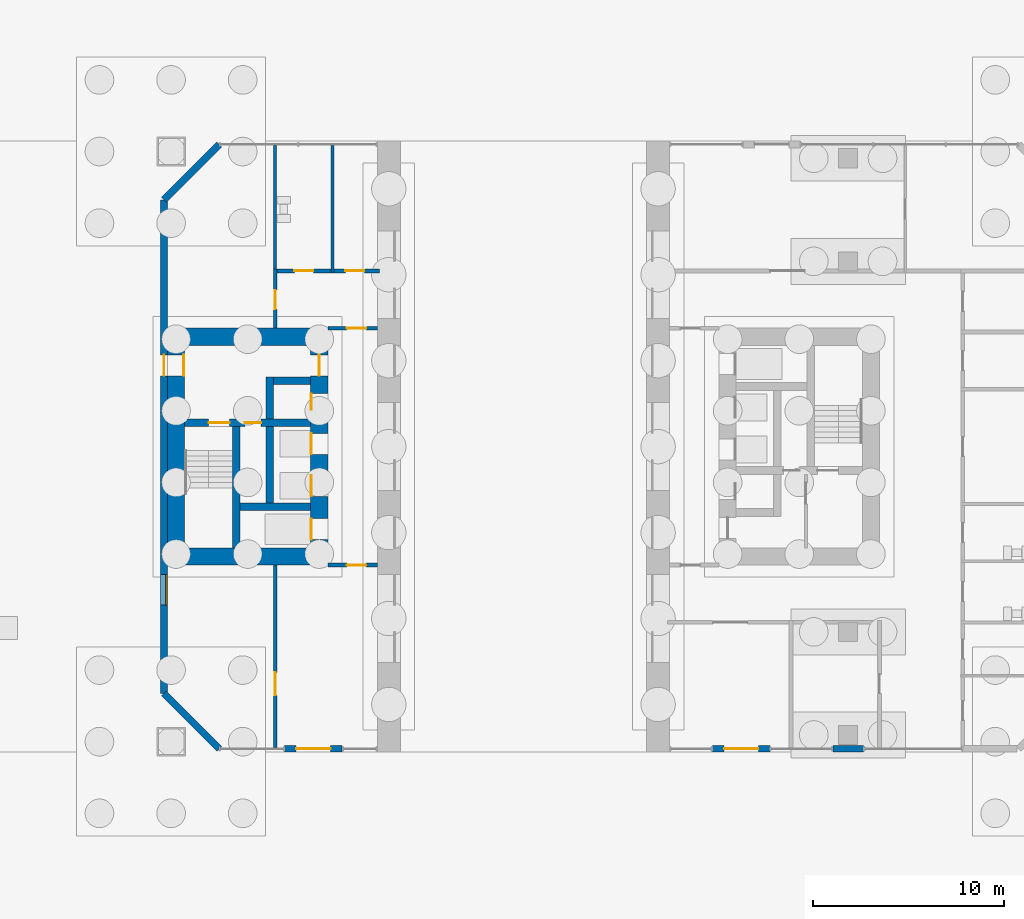
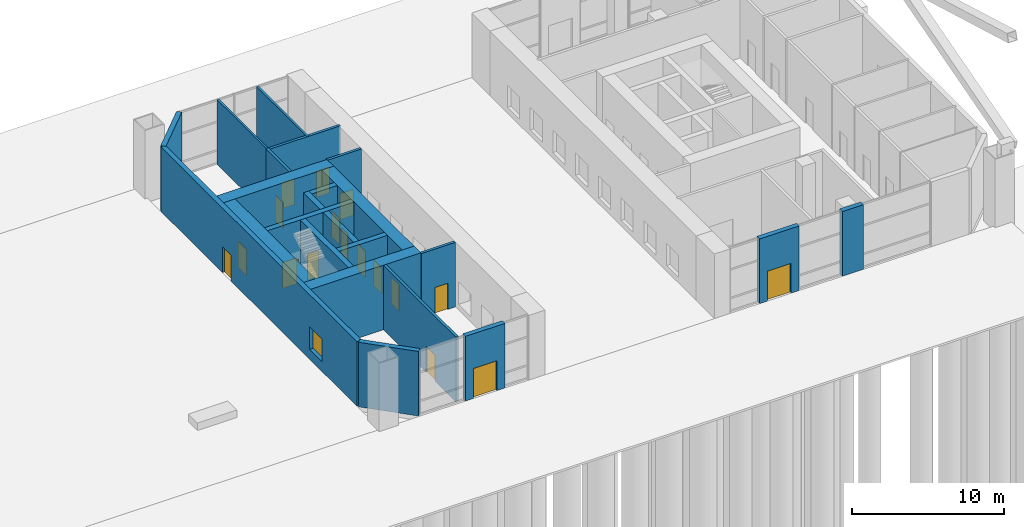
# One storey, part 17 of 26: 23 walls, 17 doors, 1 window, 18 openings.
"""IFC4 building model written with IfcOpenShell, lengths in metres."""

import ifcopenshell
import ifcopenshell.guid

model = None  # the IFC model being written
_history = None  # IfcOwnerHistory: only IFC2X3 demands one
_inside = {}  # id of a spatial element -> (the spatial element, [elements in it])
_under = {}  # id of a project, library or spatial element -> (it, [spatial elements below it])
_declared = {}  # id of a project -> (the project, [libraries it declares])
_typed = {}  # id of a type object -> (the type object, [elements of that type])
_made_of = {}  # id of a material, layer set ... -> (it, [elements and type objects made of it])


def new_model(schema):
    """Start an empty IFC model of exactly this schema.

    Asked for "IFC4X3", IfcOpenShell would pick the latest addendum, in which some entities
    have other attributes; the version numbers below select the first issue.
    IFC2X3 requires an IfcOwnerHistory on every rooted entity: one is made here for all.
    """
    global model, _history
    if schema == "IFC4X3":
        model = ifcopenshell.file(schema_version=(4, 3, 0, 0))
    else:
        model = ifcopenshell.file(schema=schema)
    _inside.clear()
    _under.clear()
    _declared.clear()
    _typed.clear()
    _made_of.clear()
    _history = None
    if model.schema == "IFC2X3":
        org = make("IfcOrganization", Name="unknown")
        user = make(
            "IfcPersonAndOrganization",
            ThePerson=make("IfcPerson", FamilyName="unknown"),
            TheOrganization=org,
        )
        app = make(
            "IfcApplication",
            ApplicationDeveloper=org,
            Version="unknown",
            ApplicationFullName="unknown",
            ApplicationIdentifier="unknown",
        )
        _history = make(
            "IfcOwnerHistory",
            OwningUser=user,
            OwningApplication=app,
            ChangeAction="ADDED",
            CreationDate=0,
        )
    return model


def make(cls, **values):
    """One entity of the class cls with the attributes given. An attribute that is None is left unset."""
    return model.create_entity(
        cls, **{name: value for name, value in values.items() if value is not None}
    )


def rooted(cls, **values):
    """An entity with a GlobalId (a new one), such as an element, a storey or a relation."""
    return make(cls, GlobalId=ifcopenshell.guid.new(), OwnerHistory=_history, **values)


def si_unit(unit_type, name, prefix=None):
    """IfcSIUnit, for example si_unit("LENGTHUNIT", "METRE", prefix="MILLI")."""
    return make("IfcSIUnit", UnitType=unit_type, Prefix=prefix, Name=name)


def assignment(units):
    """IfcUnitAssignment: the units of a project."""
    return None if units is None else make("IfcUnitAssignment", Units=units)


def point(xyz):
    """IfcCartesianPoint."""
    return None if xyz is None else make("IfcCartesianPoint", Coordinates=xyz)


def direction(xyz):
    """IfcDirection."""
    return None if xyz is None else make("IfcDirection", DirectionRatios=xyz)


def frame(location, z_axis=None, x_axis=None):
    """IfcAxis2Placement3D, a coordinate frame: its origin and axes. An axis left out is left unset."""
    return make(
        "IfcAxis2Placement3D",
        Location=point(location),
        Axis=direction(z_axis),
        RefDirection=direction(x_axis),
    )


def frame_2d(location, x_axis=None):
    """IfcAxis2Placement2D, a coordinate frame in the plane: its origin and x axis."""
    return make(
        "IfcAxis2Placement2D", Location=point(location), RefDirection=direction(x_axis)
    )


def origin():
    """The frame at (0, 0, 0) with its axes left unset."""
    return frame((0.0, 0.0, 0.0))


def place(relative_to, where):
    """IfcLocalPlacement: puts the frame where relative to a parent placement (None: the world)."""
    return make(
        "IfcLocalPlacement", PlacementRelTo=relative_to, RelativePlacement=where
    )


def context(
    kind, dimensions, precision=None, world=None, true_north=None, identifier=None
):
    """IfcGeometricRepresentationContext, for example the 3D "Model" context."""
    return make(
        "IfcGeometricRepresentationContext",
        ContextIdentifier=identifier,
        ContextType=kind,
        CoordinateSpaceDimension=dimensions,
        Precision=precision,
        WorldCoordinateSystem=world,
        TrueNorth=true_north,
    )


def subcontext(parent, identifier, kind, view, scale=None):
    """IfcGeometricRepresentationSubContext, for example "Body" below "Model"."""
    return make(
        "IfcGeometricRepresentationSubContext",
        ContextIdentifier=identifier,
        ContextType=kind,
        ParentContext=parent,
        TargetScale=scale,
        TargetView=view,
    )


def project(units=None, contexts=None):
    """IfcProject with its units and contexts."""
    return rooted(
        "IfcProject",
        Name="project",
        RepresentationContexts=contexts,
        UnitsInContext=assignment(units),
    )


def spatial(cls, under=None, at=None, **own):
    """A site, building, storey or space (cls), placed at a placement, below another one or the project."""
    s = rooted(cls, ObjectPlacement=at, **own)
    if under is not None:
        _under.setdefault(under.id(), (under, []))[1].append(s)
    return s


def profile(cls, at=None, kind="AREA", **sizes):
    """A parametric profile (cls). Its sizes go by their IFC names, for example OverallWidth=200.0."""
    return make(cls, ProfileType=kind, Position=at, **sizes)


def rectangle(**sizes):
    """IfcRectangleProfileDef."""
    return profile("IfcRectangleProfileDef", **sizes)


def extrude(swept, where, along, depth):
    """IfcExtrudedAreaSolid: the profile swept, set in the frame where, extruded along a direction by depth."""
    return make(
        "IfcExtrudedAreaSolid",
        SweptArea=swept,
        Position=where,
        ExtrudedDirection=direction(along),
        Depth=depth,
    )


def shape(context_of_items, identifier, shape_type, items):
    """IfcShapeRepresentation: the items that make up one representation, for example the "Body"."""
    return make(
        "IfcShapeRepresentation",
        ContextOfItems=context_of_items,
        RepresentationIdentifier=identifier,
        RepresentationType=shape_type,
        Items=items,
    )


def material(Name=None, Category=None):
    """IfcMaterial."""
    return make("IfcMaterial", Name=Name, Category=Category)


def layer(
    of_material, thickness, ventilated=None, Name=None, Category=None, Priority=None
):
    """IfcMaterialLayer: one layer of a wall or slab, of a material (None: an air gap)."""
    return make(
        "IfcMaterialLayer",
        Material=of_material,
        LayerThickness=thickness,
        IsVentilated=ventilated,
        Name=Name,
        Category=Category,
        Priority=Priority,
    )


def layer_set(layers, Name=None):
    """IfcMaterialLayerSet."""
    return make("IfcMaterialLayerSet", MaterialLayers=layers, LayerSetName=Name)


def made_of(thing, what):
    """Note that an element or type object is made of a material, layer set ...; save() writes the relation."""
    if what is not None:
        _made_of.setdefault(what.id(), (what, []))[1].append(thing)
    return thing


def type_object(cls, material=None, **own):
    """A type object (cls), such as IfcWallType, which elements share."""
    return made_of(rooted(cls, **own), material)


def element(
    cls,
    number,
    at=None,
    inside=None,
    cuts=None,
    type_object=None,
    material=None,
    context=None,
    identifier="Body",
    shape_type=None,
    held_by="IfcProductDefinitionShape",
    body=None,
    shapes=None,
    **own,
):
    """One element of the class cls, such as IfcWall. Its Tag is "e" and its number.

    at: its placement. inside: the storey or other place that contains it. cuts: it is an
    opening in that element (IfcRelVoidsElement). A single representation is given by context,
    identifier, shape_type and body (its items); several are given by shapes. held_by: the class
    of the entity that holds the representations. save() writes the other relations.
    """
    e = rooted(cls, Tag="e%d" % number, ObjectPlacement=at, **own)
    if body is not None:
        shapes = [shape(context, identifier, shape_type, body)]
    if shapes is not None:
        e.Representation = make(held_by, Representations=shapes)
    if inside is not None:
        _inside.setdefault(inside.id(), (inside, []))[1].append(e)
    if cuts is not None:
        rooted(
            "IfcRelVoidsElement", RelatingBuildingElement=cuts, RelatedOpeningElement=e
        )
    if type_object is not None:
        _typed.setdefault(type_object.id(), (type_object, []))[1].append(e)
    return made_of(e, material)


def fill(opening, filler):
    """IfcRelFillsElement: the door or window that sits in an opening."""
    return rooted(
        "IfcRelFillsElement",
        RelatingOpeningElement=opening,
        RelatedBuildingElement=filler,
    )


def aggregate(whole, parts):
    """IfcRelAggregates: a whole, such as a stair, and the parts it consists of."""
    return rooted("IfcRelAggregates", RelatingObject=whole, RelatedObjects=parts)


def save(model, path):
    """Write the relations noted so far, then the file.

    IfcRelAggregates (storeys below a building ...), IfcRelContainedInSpatialStructure (elements
    in a storey), IfcRelDefinesByType, IfcRelAssociatesMaterial and IfcRelDeclares: one each for
    every whole, place, type object, material and project.
    """
    for whole, parts in _under.values():
        aggregate(whole, parts)
    for where, things in _inside.values():
        rooted(
            "IfcRelContainedInSpatialStructure",
            RelatedElements=things,
            RelatingStructure=where,
        )
    for kind, things in _typed.values():
        rooted("IfcRelDefinesByType", RelatedObjects=things, RelatingType=kind)
    for what, things in _made_of.values():
        rooted("IfcRelAssociatesMaterial", RelatedObjects=things, RelatingMaterial=what)
    for by, libraries in _declared.values():
        rooted("IfcRelDeclares", RelatingContext=by, RelatedDefinitions=libraries)
    model.write(path)


model = new_model("IFC4")

# Units and contexts
model_context = context("Model", 3, precision=1e-05, world=origin(), true_north=direction((0.0, 1.0)))
body_context = subcontext(model_context, "Body", "Model", "MODEL_VIEW")
ifc_project = project(units=[si_unit("LENGTHUNIT", "METRE"), si_unit("AREAUNIT", "SQUARE_METRE"), si_unit("VOLUMEUNIT", "CUBIC_METRE"), si_unit("PLANEANGLEUNIT", "RADIAN"), si_unit("MASSUNIT", "GRAM", prefix="KILO")], contexts=[model_context])

# Site, building, storey
site_placement = place(None, origin())
site = spatial("IfcSite", under=ifc_project, at=site_placement, CompositionType="ELEMENT")
building_placement = place(site_placement, origin())
building = spatial("IfcBuilding", under=site, at=building_placement, Name="Tuart Gate Housing", CompositionType="ELEMENT")
storey_placement = place(building_placement, origin())
storey = spatial("IfcBuildingStorey", under=building, at=storey_placement, Name="L00", CompositionType="ELEMENT", Elevation=0.0)

# Walls
ifc_material_1 = material(Name="Gypsum board on steel studs", Category="steel")
ifc_layer_1 = layer(ifc_material_1, 0.14990234375)
ifc_layer_set_1 = layer_set([ifc_layer_1], Name="Bathroom wall 150")
wall_type_1 = type_object("IfcWallType", Name="Bathroom wall 150", PredefinedType="PLUMBINGWALL", material=ifc_layer_set_1)
for number, where, z_axis, x_axis, name in (
    (1, (137.0, 79.10009765625, 0.0), (0.0, 0.0, 1.0), (0.0, 1.0, 0.0), "Bathroom wall 150"),
    (2, (140.0, 79.10009765625, 0.0), (0.0, 0.0, 1.0), (0.0, 1.0, 0.0), "Bathroom wall 150"),
):
    element("IfcWall", number, at=place(storey_placement, frame(where, z_axis=z_axis, x_axis=x_axis)), inside=storey, type_object=wall_type_1, Name=name, PredefinedType="PLUMBINGWALL", context=body_context, shape_type="SweptSolid", body=[
        extrude(rectangle(XDim=6.659912109375, YDim=0.14990234375, at=frame_2d((3.330078125, 0.0))), origin(), (0.0, 0.0, 1.0), 5.199951171875),
    ])
ifc_material_2 = material(Name="Brick", Category="masonry")
ifc_layer_2 = layer(ifc_material_2, 0.360107421875)
ifc_layer_set_2 = layer_set([ifc_layer_2], Name="Brick pier and spandrel wall 360")
wall_type_2 = type_object("IfcWallType", Name="Brick pier and spandrel wall 360", PredefinedType="STANDARD", material=ifc_layer_set_2)
wall_1_placement = place(storey_placement, frame((131.179931640625, 57.07470703125, 0.0), z_axis=(0.0, 0.0, 1.0), x_axis=(0.707106781187, -0.707106781187, 0.0)))
element("IfcWall", 3, at=wall_1_placement, inside=storey, type_object=wall_type_2, Name="External wall B-SW L00", PredefinedType="STANDARD", context=body_context, shape_type="SweptSolid", body=[
    extrude(rectangle(XDim=4.09375, YDim=0.360107421875, at=frame_2d((2.046875, 0.0))), origin(), (0.0, 0.0, 1.0), 5.199951171875),
])
wall_2_placement = place(storey_placement, frame((166.199951171875, 54.179931640625, 0.0), z_axis=(0.0, 0.0, 1.0), x_axis=(1.0, 0.0, 0.0)))
element("IfcWall", 4, at=wall_2_placement, inside=storey, type_object=wall_type_2, Name="External wall B-S L00", PredefinedType="STANDARD", context=body_context, shape_type="SweptSolid", body=[
    extrude(rectangle(XDim=1.60009765625, YDim=0.360107421875, at=frame_2d((0.800048828125, 0.0))), origin(), (0.0, 0.0, 1.0), 5.199951171875),
])

# Wall, opening, door
wall_3_placement = place(storey_placement, frame((137.5, 54.179931640625, 0.0), z_axis=(0.0, 0.0, 1.0), x_axis=(1.0, 0.0, 0.0)))
wall_3 = element("IfcWall", 5, at=wall_3_placement, inside=storey, type_object=wall_type_2, Name="External wall B-S L00", PredefinedType="STANDARD", context=body_context, shape_type="SweptSolid", body=[
    extrude(rectangle(XDim=3.0, YDim=0.360107421875, at=frame_2d((1.5, 0.0))), origin(), (0.0, 0.0, 1.0), 5.199951171875),
])
opening_1_placement = place(wall_3_placement, frame((0.60009765625, 0.0, 0.0)))
opening_1 = element("IfcOpeningElement", 6, at=opening_1_placement, cuts=wall_3, Name="Opening D2780", PredefinedType="OPENING", context=body_context, shape_type="SweptSolid", body=[
    extrude(rectangle(XDim=1.800048828125, YDim=2.39990234375, at=frame_2d((0.89990234375, 1.199951171875))), frame((0.0, 0.18994140625, 0.0), z_axis=(0.0, -1.0, 0.0), x_axis=(1.0, 0.0, 0.0)), (0.0, 0.0, 1.0), 0.380126953125),
])
ifc_material_3 = material(Name="Aluminium framed glazed door", Category="aluminium")
door_type_1 = type_object("IfcDoorType", Name="Sliding entrance door 1800 x 2400", OperationType="DOUBLE_DOOR_SLIDING", PredefinedType="DOOR", material=ifc_material_3)
door_1_placement = place(opening_1_placement, frame((1.800048828125, 0.0, 0.0), z_axis=(0.0, 0.0, 1.0), x_axis=(-1.0, 0.0, 0.0)))
door_1 = element("IfcDoor", 7, at=door_1_placement, inside=storey, type_object=door_type_1, Name="Leg B health centre entrance lobby sliding door", OperationType="DOUBLE_DOOR_SLIDING", OverallHeight=2.39990234375, OverallWidth=1.800048828125, PredefinedType="DOOR", context=body_context, shape_type="SweptSolid", body=[
    extrude(rectangle(XDim=1.800048828125, YDim=2.39990234375, at=frame_2d((0.900146484375, 1.199951171875))), frame((0.0, 0.025146484375, 0.0), z_axis=(0.0, -1.0, 0.0), x_axis=(1.0, 0.0, 0.0)), (0.0, 0.0, 1.0), 0.050048828125),
])
fill(opening_1, door_1)

wall_4_placement = place(storey_placement, frame((159.89990234375, 54.179931640625, 0.0), z_axis=(0.0, 0.0, 1.0), x_axis=(1.0, 0.0, 0.0)))
wall_4 = element("IfcWall", 8, at=wall_4_placement, inside=storey, type_object=wall_type_2, Name="External wall B-S L00", PredefinedType="STANDARD", context=body_context, shape_type="SweptSolid", body=[
    extrude(rectangle(XDim=3.0, YDim=0.360107421875, at=frame_2d((1.5, 0.0))), origin(), (0.0, 0.0, 1.0), 5.199951171875),
])
opening_2_placement = place(wall_4_placement, frame((0.60009765625, 0.0, 0.0)))
opening_2 = element("IfcOpeningElement", 9, at=opening_2_placement, cuts=wall_4, Name="Opening D2781", PredefinedType="OPENING", context=body_context, shape_type="SweptSolid", body=[
    extrude(rectangle(XDim=1.800048828125, YDim=2.39990234375, at=frame_2d((0.89990234375, 1.199951171875))), frame((0.0, 0.18994140625, 0.0), z_axis=(0.0, -1.0, 0.0), x_axis=(1.0, 0.0, 0.0)), (0.0, 0.0, 1.0), 0.380126953125),
])
door_2_placement = place(opening_2_placement, frame((1.800048828125, 0.0, 0.0), z_axis=(0.0, 0.0, 1.0), x_axis=(-1.0, 0.0, 0.0)))
door_2 = element("IfcDoor", 10, at=door_2_placement, inside=storey, type_object=door_type_1, Name="Leg B community entrance foyer sliding door", OperationType="DOUBLE_DOOR_SLIDING", OverallHeight=2.39990234375, OverallWidth=1.800048828125, PredefinedType="DOOR", context=body_context, shape_type="SweptSolid", body=[
    extrude(rectangle(XDim=1.800048828125, YDim=2.39990234375, at=frame_2d((0.900146484375, 1.199951171875))), frame((0.0, 0.025146484375, 0.0), z_axis=(0.0, -1.0, 0.0), x_axis=(1.0, 0.0, 0.0)), (0.0, 0.0, 1.0), 0.050048828125),
])
fill(opening_2, door_2)

# Wall
wall_5_placement = place(storey_placement, frame((134.07470703125, 85.820068359375, 0.0), z_axis=(0.0, 0.0, 1.0), x_axis=(-0.707106781187, -0.707106781187, 0.0)))
element("IfcWall", 11, at=wall_5_placement, inside=storey, type_object=wall_type_2, Name="External wall B-NW L00", PredefinedType="STANDARD", context=body_context, shape_type="SweptSolid", body=[
    extrude(rectangle(XDim=4.09375, YDim=0.360107421875, at=frame_2d((2.046875, 0.0))), origin(), (0.0, 0.0, 1.0), 5.199951171875),
])

# Wall, openings, door, window
wall_6_placement = place(storey_placement, frame((131.179931640625, 82.92529296875, 0.0), z_axis=(0.0, 0.0, 1.0), x_axis=(0.0, -1.0, 0.0)))
wall_6 = element("IfcWall", 12, at=wall_6_placement, inside=storey, type_object=wall_type_2, Name="External wall B-W L00", PredefinedType="STANDARD", context=body_context, shape_type="SweptSolid", body=[
    extrude(rectangle(XDim=25.850830078125, YDim=0.360107421875, at=frame_2d((12.92529296875, 0.0))), origin(), (0.0, 0.0, 1.0), 5.199951171875),
])
opening_3_placement = place(wall_6_placement, frame((19.62548828125, 0.0, 0.800048828125)))
opening_3 = element("IfcOpeningElement", 13, at=opening_3_placement, cuts=wall_6, Name="Opening W1", PredefinedType="OPENING", context=body_context, shape_type="SweptSolid", body=[
    extrude(rectangle(XDim=1.60009765625, YDim=1.800048828125, at=frame_2d((0.800048828125, 0.89990234375))), frame((0.0, 0.18994140625, 0.0), z_axis=(0.0, -1.0, 0.0), x_axis=(1.0, 0.0, 0.0)), (0.0, 0.0, 1.0), 0.380126953125),
])
opening_4_placement = place(wall_6_placement, frame((8.12548828125, 0.0, 0.0)))
opening_4 = element("IfcOpeningElement", 14, at=opening_4_placement, cuts=wall_6, Name="Opening D2760", PredefinedType="OPENING", context=body_context, shape_type="SweptSolid", body=[
    extrude(rectangle(XDim=1.10009765625, YDim=2.10009765625, at=frame_2d((0.550048828125, 1.050048828125))), frame((0.0, 0.18994140625, 0.0), z_axis=(0.0, -1.0, 0.0), x_axis=(1.0, 0.0, 0.0)), (0.0, 0.0, 1.0), 0.380126953125),
])
ifc_material_4 = material(Name="Aluminium framed glazed door", Category="aluminium")
door_type_2 = type_object("IfcDoorType", Name="Exit door 1100 x 2100 RH", OperationType="SINGLE_SWING_RIGHT", PredefinedType="DOOR", material=ifc_material_4)
door_3_placement = place(opening_4_placement, frame((1.10009765625, 0.0, 0.0), z_axis=(0.0, 0.0, 1.0), x_axis=(-1.0, 0.0, 0.0)))
door_3 = element("IfcDoor", 15, at=door_3_placement, inside=storey, type_object=door_type_2, Name="Stair exit onto the gate plaza door", OperationType="SINGLE_SWING_RIGHT", OverallHeight=2.10009765625, OverallWidth=1.10009765625, PredefinedType="DOOR", context=body_context, shape_type="SweptSolid", body=[
    extrude(rectangle(XDim=1.10009765625, YDim=2.10009765625, at=frame_2d((0.550048828125, 1.050048828125))), frame((0.0, 0.025146484375, 0.0), z_axis=(0.0, -1.0, 0.0), x_axis=(1.0, 0.0, 0.0)), (0.0, 0.0, 1.0), 0.050048828125),
])
fill(opening_4, door_3)
ifc_material_5 = material(Name="Aluminium frame with clear glass", Category="aluminium")
window_type = type_object("IfcWindowType", Name="Punched window 1600 x 1800", PartitioningType="SINGLE_PANEL", PredefinedType="WINDOW", material=ifc_material_5)
window_placement = place(opening_3_placement, origin())
window = element("IfcWindow", 16, at=window_placement, inside=storey, type_object=window_type, Name="Window W1", OverallHeight=1.800048828125, OverallWidth=1.60009765625, PartitioningType="SINGLE_PANEL", PredefinedType="WINDOW", context=body_context, shape_type="SweptSolid", body=[
    extrude(rectangle(XDim=1.60009765625, YDim=1.800048828125, at=frame_2d((0.800048828125, 0.89990234375))), frame((0.0, 0.150146484375, 0.0), z_axis=(0.0, -1.0, 0.0), x_axis=(1.0, 0.0, 0.0)), (0.0, 0.0, 1.0), 0.06005859375),
])
fill(opening_3, window)

# Wall
ifc_material_6 = material(Name="Concrete C60", Category="concrete")
ifc_layer_3 = layer(ifc_material_6, 0.39990234375)
ifc_layer_set_3 = layer_set([ifc_layer_3], Name="Core wall 400 C60")
wall_type_3 = type_object("IfcWallType", Name="Core wall 400 C60", PredefinedType="SHEAR", material=ifc_layer_set_3)
wall_7_placement = place(storey_placement, frame((138.860107421875, 66.85009765625, 0.0), z_axis=(0.0, 0.0, 1.0), x_axis=(-1.0, 0.0, 0.0)))
element("IfcWall", 17, at=wall_7_placement, inside=storey, type_object=wall_type_3, Name="Core wall BG.1", PredefinedType="SHEAR", context=body_context, shape_type="SweptSolid", body=[
    extrude(rectangle(XDim=3.7001953125, YDim=0.39990234375, at=frame_2d((1.85009765625, 0.0))), origin(), (0.0, 0.0, 1.0), 5.199951171875),
])

# Wall, openings, doors
wall_8_placement = place(storey_placement, frame((138.860107421875, 71.25, 0.0), z_axis=(0.0, 0.0, 1.0), x_axis=(-1.0, 0.0, 0.0)))
wall_8 = element("IfcWall", 18, at=wall_8_placement, inside=storey, type_object=wall_type_3, Name="Core wall BG.2", PredefinedType="SHEAR", context=body_context, shape_type="SweptSolid", body=[
    extrude(rectangle(XDim=6.60009765625, YDim=0.39990234375, at=frame_2d((3.300048828125, 0.0))), origin(), (0.0, 0.0, 1.0), 5.199951171875),
])
opening_5_placement = place(wall_8_placement, frame((4.25, 0.0, 0.0)))
opening_5 = element("IfcOpeningElement", 19, at=opening_5_placement, cuts=wall_8, Name="Opening D2759", PredefinedType="OPENING", context=body_context, shape_type="SweptSolid", body=[
    extrude(rectangle(XDim=1.10009765625, YDim=2.10009765625, at=frame_2d((0.550048828125, 1.050048828125))), frame((0.0, 0.2099609375, 0.0), z_axis=(0.0, -1.0, 0.0), x_axis=(1.0, 0.0, 0.0)), (0.0, 0.0, 1.0), 0.419921875),
])
opening_6_placement = place(wall_8_placement, frame((2.60009765625, 0.0, 0.0)))
opening_6 = element("IfcOpeningElement", 20, at=opening_6_placement, cuts=wall_8, Name="Opening D2758", PredefinedType="OPENING", context=body_context, shape_type="SweptSolid", body=[
    extrude(rectangle(XDim=0.85009765625, YDim=2.10009765625, at=frame_2d((0.425048828125, 1.050048828125))), frame((0.0, 0.2099609375, 0.0), z_axis=(0.0, -1.0, 0.0), x_axis=(1.0, 0.0, 0.0)), (0.0, 0.0, 1.0), 0.419921875),
])
ifc_material_7 = material(Name="Steel fire door", Category="steel")
door_type_3 = type_object("IfcDoorType", Name="Riser door 850 x 2100", OperationType="SINGLE_SWING_LEFT", PredefinedType="DOOR", material=ifc_material_7)
door_4_placement = place(opening_6_placement, origin())
door_4 = element("IfcDoor", 21, at=door_4_placement, inside=storey, type_object=door_type_3, Name="Service room door BG.W1", OperationType="SINGLE_SWING_LEFT", OverallHeight=2.10009765625, OverallWidth=0.85009765625, PredefinedType="DOOR", context=body_context, shape_type="SweptSolid", body=[
    extrude(rectangle(XDim=0.85009765625, YDim=2.10009765625, at=frame_2d((0.425048828125, 1.050048828125))), frame((0.0, 0.02490234375, 0.0), z_axis=(0.0, -1.0, 0.0), x_axis=(1.0, 0.0, 0.0)), (0.0, 0.0, 1.0), 0.050048828125),
])
fill(opening_6, door_4)
ifc_material_8 = material(Name="Steel fire door", Category="steel")
door_type_4 = type_object("IfcDoorType", Name="Stair door 1100 x 2100", OperationType="SINGLE_SWING_LEFT", PredefinedType="DOOR", material=ifc_material_8)
door_5_placement = place(opening_5_placement, origin())
door_5 = element("IfcDoor", 22, at=door_5_placement, inside=storey, type_object=door_type_4, Name="Stair door BG.SD", OperationType="SINGLE_SWING_LEFT", OverallHeight=2.10009765625, OverallWidth=1.10009765625, PredefinedType="DOOR", context=body_context, shape_type="SweptSolid", body=[
    extrude(rectangle(XDim=1.10009765625, YDim=2.10009765625, at=frame_2d((0.550048828125, 1.050048828125))), frame((0.0, 0.02490234375, 0.0), z_axis=(0.0, -1.0, 0.0), x_axis=(1.0, 0.0, 0.0)), (0.0, 0.0, 1.0), 0.050048828125),
])
fill(opening_5, door_5)

# Walls
wall_9_placement = place(storey_placement, frame((138.860107421875, 73.449951171875, 0.0), z_axis=(0.0, 0.0, 1.0), x_axis=(-1.0, 0.0, 0.0)))
element("IfcWall", 23, at=wall_9_placement, inside=storey, type_object=wall_type_3, Name="Core wall BG.3", PredefinedType="SHEAR", context=body_context, shape_type="SweptSolid", body=[
    extrude(rectangle(XDim=1.9501953125, YDim=0.39990234375, at=frame_2d((0.97509765625, 0.0))), origin(), (0.0, 0.0, 1.0), 5.199951171875),
])
wall_10_placement = place(storey_placement, frame((136.7099609375, 67.050048828125, 0.0), z_axis=(0.0, 0.0, 1.0), x_axis=(0.0, 1.0, 0.0)))
element("IfcWall", 24, at=wall_10_placement, inside=storey, type_object=wall_type_3, Name="Core wall BG.4", PredefinedType="SHEAR", context=body_context, shape_type="SweptSolid", body=[
    extrude(rectangle(XDim=4.0, YDim=0.39990234375, at=frame_2d((2.0, 0.0))), origin(), (0.0, 0.0, 1.0), 5.199951171875),
])
wall_11_placement = place(storey_placement, frame((136.7099609375, 71.449951171875, 0.0), z_axis=(0.0, 0.0, 1.0), x_axis=(0.0, 1.0, 0.0)))
element("IfcWall", 25, at=wall_11_placement, inside=storey, type_object=wall_type_3, Name="Core wall BG.5", PredefinedType="SHEAR", context=body_context, shape_type="SweptSolid", body=[
    extrude(rectangle(XDim=2.199951171875, YDim=0.39990234375, at=frame_2d((1.10009765625, 0.0))), origin(), (0.0, 0.0, 1.0), 5.199951171875),
])
wall_12_placement = place(storey_placement, frame((134.9599609375, 64.699951171875, 0.0), z_axis=(0.0, 0.0, 1.0), x_axis=(0.0, 1.0, 0.0)))
element("IfcWall", 26, at=wall_12_placement, inside=storey, type_object=wall_type_3, Name="Core wall BG.6", PredefinedType="SHEAR", context=body_context, shape_type="SweptSolid", body=[
    extrude(rectangle(XDim=6.35009765625, YDim=0.39990234375, at=frame_2d((3.175048828125, 0.0))), origin(), (0.0, 0.0, 1.0), 5.199951171875),
])

# Wall, openings, doors
ifc_material_9 = material(Name="Concrete C60", Category="concrete")
ifc_layer_4 = layer(ifc_material_9, 0.89990234375)
ifc_layer_set_4 = layer_set([ifc_layer_4], Name="Core wall 900 C60")
wall_type_4 = type_object("IfcWallType", Name="Core wall 900 C60", PredefinedType="SHEAR", material=ifc_layer_set_4)
wall_13_placement = place(storey_placement, frame((139.31005859375, 64.699951171875, 0.0), z_axis=(0.0, 0.0, 1.0), x_axis=(0.0, 1.0, 0.0)))
wall_13 = element("IfcWall", 27, at=wall_13_placement, inside=storey, type_object=wall_type_4, Name="Core wall BG front", PredefinedType="SHEAR", context=body_context, shape_type="SweptSolid", body=[
    extrude(rectangle(XDim=10.60009765625, YDim=0.89990234375, at=frame_2d((5.300048828125, 0.0))), origin(), (0.0, 0.0, 1.0), 5.199951171875),
])
opening_7_placement = place(wall_13_placement, frame((0.425048828125, 0.0, 0.0)))
opening_7 = element("IfcOpeningElement", 28, at=opening_7_placement, cuts=wall_13, Name="Opening LD-FB1", PredefinedType="OPENING", context=body_context, shape_type="SweptSolid", body=[
    extrude(rectangle(XDim=1.10009765625, YDim=2.10009765625, at=frame_2d((0.550048828125, 1.050048828125))), frame((0.0, 0.4599609375, 0.0), z_axis=(0.0, -1.0, 0.0), x_axis=(1.0, 0.0, 0.0)), (0.0, 0.0, 1.0), 0.919921875),
])
opening_8_placement = place(wall_13_placement, frame((2.699951171875, 0.0, 0.0)))
opening_8 = element("IfcOpeningElement", 29, at=opening_8_placement, cuts=wall_13, Name="Opening LD-LB1", PredefinedType="OPENING", context=body_context, shape_type="SweptSolid", body=[
    extrude(rectangle(XDim=1.10009765625, YDim=2.10009765625, at=frame_2d((0.550048828125, 1.050048828125))), frame((0.0, 0.4599609375, 0.0), z_axis=(0.0, -1.0, 0.0), x_axis=(1.0, 0.0, 0.0)), (0.0, 0.0, 1.0), 0.919921875),
])
opening_9_placement = place(wall_13_placement, frame((4.89990234375, 0.0, 0.0)))
opening_9 = element("IfcOpeningElement", 30, at=opening_9_placement, cuts=wall_13, Name="Opening LD-LB2", PredefinedType="OPENING", context=body_context, shape_type="SweptSolid", body=[
    extrude(rectangle(XDim=1.10009765625, YDim=2.10009765625, at=frame_2d((0.550048828125, 1.050048828125))), frame((0.0, 0.4599609375, 0.0), z_axis=(0.0, -1.0, 0.0), x_axis=(1.0, 0.0, 0.0)), (0.0, 0.0, 1.0), 0.919921875),
])
opening_10_placement = place(wall_13_placement, frame((9.0, 0.0, 0.0)))
opening_10 = element("IfcOpeningElement", 31, at=opening_10_placement, cuts=wall_13, Name="Opening D2762", PredefinedType="OPENING", context=body_context, shape_type="SweptSolid", body=[
    extrude(rectangle(XDim=1.10009765625, YDim=2.10009765625, at=frame_2d((0.550048828125, 1.050048828125))), frame((0.0, 0.4599609375, 0.0), z_axis=(0.0, -1.0, 0.0), x_axis=(1.0, 0.0, 0.0)), (0.0, 0.0, 1.0), 0.919921875),
])
opening_11_placement = place(wall_13_placement, frame((7.22509765625, 0.0, 0.0)))
opening_11 = element("IfcOpeningElement", 32, at=opening_11_placement, cuts=wall_13, Name="Opening D2763", PredefinedType="OPENING", context=body_context, shape_type="SweptSolid", body=[
    extrude(rectangle(XDim=0.85009765625, YDim=2.10009765625, at=frame_2d((0.425048828125, 1.050048828125))), frame((0.0, 0.4599609375, 0.0), z_axis=(0.0, -1.0, 0.0), x_axis=(1.0, 0.0, 0.0)), (0.0, 0.0, 1.0), 0.919921875),
])
ifc_material_10 = material(Name="Stainless steel", Category="steel")
door_type_5 = type_object("IfcDoorType", Name="Landing door 1100 x 2100", OperationType="DOUBLE_DOOR_SLIDING", PredefinedType="DOOR", material=ifc_material_10)
door_6_placement = place(opening_7_placement, origin())
door_6 = element("IfcDoor", 33, at=door_6_placement, inside=storey, type_object=door_type_5, Name="Lift landing door FB1", OperationType="DOUBLE_DOOR_SLIDING", OverallHeight=2.10009765625, OverallWidth=1.10009765625, PredefinedType="DOOR", context=body_context, shape_type="SweptSolid", body=[
    extrude(rectangle(XDim=1.10009765625, YDim=2.10009765625, at=frame_2d((0.550048828125, 1.050048828125))), frame((0.0, 0.43505859375, 0.0), z_axis=(0.0, -1.0, 0.0), x_axis=(1.0, 0.0, 0.0)), (0.0, 0.0, 1.0), 0.050048828125),
])
fill(opening_7, door_6)
door_7_placement = place(opening_8_placement, origin())
door_7 = element("IfcDoor", 34, at=door_7_placement, inside=storey, type_object=door_type_5, Name="Lift landing door LB1", OperationType="DOUBLE_DOOR_SLIDING", OverallHeight=2.10009765625, OverallWidth=1.10009765625, PredefinedType="DOOR", context=body_context, shape_type="SweptSolid", body=[
    extrude(rectangle(XDim=1.10009765625, YDim=2.10009765625, at=frame_2d((0.550048828125, 1.050048828125))), frame((0.0, 0.43505859375, 0.0), z_axis=(0.0, -1.0, 0.0), x_axis=(1.0, 0.0, 0.0)), (0.0, 0.0, 1.0), 0.050048828125),
])
fill(opening_8, door_7)
door_8_placement = place(opening_9_placement, origin())
door_8 = element("IfcDoor", 35, at=door_8_placement, inside=storey, type_object=door_type_5, Name="Lift landing door LB2", OperationType="DOUBLE_DOOR_SLIDING", OverallHeight=2.10009765625, OverallWidth=1.10009765625, PredefinedType="DOOR", context=body_context, shape_type="SweptSolid", body=[
    extrude(rectangle(XDim=1.10009765625, YDim=2.10009765625, at=frame_2d((0.550048828125, 1.050048828125))), frame((0.0, 0.43505859375, 0.0), z_axis=(0.0, -1.0, 0.0), x_axis=(1.0, 0.0, 0.0)), (0.0, 0.0, 1.0), 0.050048828125),
])
fill(opening_9, door_8)
ifc_material_11 = material(Name="Steel fire door", Category="steel")
door_type_6 = type_object("IfcDoorType", Name="Lobby door 1100 x 2100", OperationType="SINGLE_SWING_LEFT", PredefinedType="DOOR", material=ifc_material_11)
door_9_placement = place(opening_10_placement, origin())
door_9 = element("IfcDoor", 36, at=door_9_placement, inside=storey, type_object=door_type_6, Name="Lobby entry door BG.EN", OperationType="SINGLE_SWING_LEFT", OverallHeight=2.10009765625, OverallWidth=1.10009765625, PredefinedType="DOOR", context=body_context, shape_type="SweptSolid", body=[
    extrude(rectangle(XDim=1.10009765625, YDim=2.10009765625, at=frame_2d((0.550048828125, 1.050048828125))), frame((0.0, 0.02490234375, 0.0), z_axis=(0.0, -1.0, 0.0), x_axis=(1.0, 0.0, 0.0)), (0.0, 0.0, 1.0), 0.050048828125),
])
fill(opening_10, door_9)
ifc_material_12 = material(Name="Steel fire door", Category="steel")
door_type_7 = type_object("IfcDoorType", Name="Service door 850 x 2100", OperationType="SINGLE_SWING_LEFT", PredefinedType="DOOR", material=ifc_material_12)
door_10_placement = place(opening_11_placement, origin())
door_10 = element("IfcDoor", 37, at=door_10_placement, inside=storey, type_object=door_type_7, Name="Service room door BG.T1", OperationType="SINGLE_SWING_LEFT", OverallHeight=2.10009765625, OverallWidth=0.85009765625, PredefinedType="DOOR", context=body_context, shape_type="SweptSolid", body=[
    extrude(rectangle(XDim=0.85009765625, YDim=2.10009765625, at=frame_2d((0.425048828125, 1.050048828125))), frame((0.0, 0.43505859375, 0.0), z_axis=(0.0, -1.0, 0.0), x_axis=(1.0, 0.0, 0.0)), (0.0, 0.0, 1.0), 0.050048828125),
])
fill(opening_11, door_10)

# Wall, opening, door
wall_14_placement = place(storey_placement, frame((131.81005859375, 64.699951171875, 0.0), z_axis=(0.0, 0.0, 1.0), x_axis=(0.0, 1.0, 0.0)))
wall_14 = element("IfcWall", 38, at=wall_14_placement, inside=storey, type_object=wall_type_4, Name="Core wall BG back", PredefinedType="SHEAR", context=body_context, shape_type="SweptSolid", body=[
    extrude(rectangle(XDim=10.60009765625, YDim=0.89990234375, at=frame_2d((5.300048828125, 0.0))), origin(), (0.0, 0.0, 1.0), 5.199951171875),
])
opening_12_placement = place(wall_14_placement, frame((9.0, 0.0, 0.0)))
opening_12 = element("IfcOpeningElement", 39, at=opening_12_placement, cuts=wall_14, Name="Opening D2761", PredefinedType="OPENING", context=body_context, shape_type="SweptSolid", body=[
    extrude(rectangle(XDim=1.10009765625, YDim=2.10009765625, at=frame_2d((0.550048828125, 1.050048828125))), frame((0.0, 0.4599609375, 0.0), z_axis=(0.0, -1.0, 0.0), x_axis=(1.0, 0.0, 0.0)), (0.0, 0.0, 1.0), 0.919921875),
])
ifc_material_13 = material(Name="Steel fire door", Category="steel")
door_type_8 = type_object("IfcDoorType", Name="Stair door 1100 x 2100 RH", OperationType="SINGLE_SWING_RIGHT", PredefinedType="DOOR", material=ifc_material_13)
door_11_placement = place(opening_12_placement, origin())
door_11 = element("IfcDoor", 40, at=door_11_placement, inside=storey, type_object=door_type_8, Name="Stair exit door BG.EX", OperationType="SINGLE_SWING_RIGHT", OverallHeight=2.10009765625, OverallWidth=1.10009765625, PredefinedType="DOOR", context=body_context, shape_type="SweptSolid", body=[
    extrude(rectangle(XDim=1.10009765625, YDim=2.10009765625, at=frame_2d((0.550048828125, 1.050048828125))), frame((0.0, -0.384765625, 0.0), z_axis=(0.0, -1.0, 0.0), x_axis=(1.0, 0.0, 0.0)), (0.0, 0.0, 1.0), 0.050048828125),
])
fill(opening_12, door_11)

# Walls
for number, where, z_axis, x_axis, name in (
    (41, (139.760009765625, 64.25, 0.0), (0.0, 0.0, 1.0), (-1.0, 0.0, 0.0), "Core wall BG south"),
    (42, (139.760009765625, 75.75, 0.0), (0.0, 0.0, 1.0), (-1.0, 0.0, 0.0), "Core wall BG north"),
):
    element("IfcWall", number, at=place(storey_placement, frame(where, z_axis=z_axis, x_axis=x_axis)), inside=storey, type_object=wall_type_4, Name=name, PredefinedType="SHEAR", context=body_context, shape_type="SweptSolid", body=[
        extrude(rectangle(XDim=8.39990234375, YDim=0.89990234375, at=frame_2d((4.199951171875, 0.0))), origin(), (0.0, 0.0, 1.0), 5.199951171875),
    ])

# Wall, openings, doors
ifc_material_14 = material(Name="Concrete masonry 15 MPa", Category="masonry")
ifc_layer_5 = layer(ifc_material_14, 0.199951171875)
ifc_layer_set_5 = layer_set([ifc_layer_5], Name="Corridor wall masonry 200")
wall_type_5 = type_object("IfcWallType", Name="Corridor wall masonry 200", PredefinedType="PARTITIONING", material=ifc_layer_set_5)
wall_15_placement = place(storey_placement, frame((136.89990234375, 79.199951171875, 0.0), z_axis=(0.0, 0.0, 1.0), x_axis=(1.0, 0.0, 0.0)))
wall_15 = element("IfcWall", 43, at=wall_15_placement, inside=storey, type_object=wall_type_5, Name="Corridor wall masonry 200", PredefinedType="PARTITIONING", context=body_context, shape_type="SweptSolid", body=[
    extrude(rectangle(XDim=5.570068359375, YDim=0.199951171875, at=frame_2d((2.78515625, 0.0))), origin(), (0.0, 0.0, 1.0), 5.199951171875),
])
opening_13_placement = place(wall_15_placement, frame((1.10009765625, 0.0, 0.0)))
opening_13 = element("IfcOpeningElement", 44, at=opening_13_placement, cuts=wall_15, Name="Opening D2750", PredefinedType="OPENING", context=body_context, shape_type="SweptSolid", body=[
    extrude(rectangle(XDim=1.0, YDim=2.10009765625, at=frame_2d((0.5, 1.050048828125))), frame((0.0, 0.10986328125, 0.0), z_axis=(0.0, -1.0, 0.0), x_axis=(1.0, 0.0, 0.0)), (0.0, 0.0, 1.0), 0.219970703125),
])
opening_14_placement = place(wall_15_placement, frame((3.77490234375, 0.0, 0.0)))
opening_14 = element("IfcOpeningElement", 45, at=opening_14_placement, cuts=wall_15, Name="Opening D2751", PredefinedType="OPENING", context=body_context, shape_type="SweptSolid", body=[
    extrude(rectangle(XDim=1.0, YDim=2.10009765625, at=frame_2d((0.5, 1.050048828125))), frame((0.0, 0.10986328125, 0.0), z_axis=(0.0, -1.0, 0.0), x_axis=(1.0, 0.0, 0.0)), (0.0, 0.0, 1.0), 0.219970703125),
])
ifc_material_15 = material(Name="Timber door leaf in steel frame", Category="steel")
door_type_9 = type_object("IfcDoorType", Name="Fire door 1000", OperationType="SINGLE_SWING_LEFT", PredefinedType="DOOR", material=ifc_material_15)
door_12_placement = place(opening_13_placement, origin())
door_12 = element("IfcDoor", 46, at=door_12_placement, inside=storey, type_object=door_type_9, Name="Fire door 1000", OperationType="SINGLE_SWING_LEFT", OverallHeight=2.10009765625, OverallWidth=1.0, PredefinedType="DOOR", context=body_context, shape_type="SweptSolid", body=[
    extrude(rectangle(XDim=1.0, YDim=2.10009765625, at=frame_2d((0.5, 1.050048828125))), frame((0.0, 0.02490234375, 0.0), z_axis=(0.0, -1.0, 0.0), x_axis=(1.0, 0.0, 0.0)), (0.0, 0.0, 1.0), 0.050048828125),
])
fill(opening_13, door_12)
door_13_placement = place(opening_14_placement, origin())
door_13 = element("IfcDoor", 47, at=door_13_placement, inside=storey, type_object=door_type_9, Name="Fire door 1000", OperationType="SINGLE_SWING_LEFT", OverallHeight=2.10009765625, OverallWidth=1.0, PredefinedType="DOOR", context=body_context, shape_type="SweptSolid", body=[
    extrude(rectangle(XDim=1.0, YDim=2.10009765625, at=frame_2d((0.5, 1.050048828125))), frame((0.0, 0.02490234375, 0.0), z_axis=(0.0, -1.0, 0.0), x_axis=(1.0, 0.0, 0.0)), (0.0, 0.0, 1.0), 0.050048828125),
])
fill(opening_14, door_13)

# Wall, opening, door
wall_16_placement = place(storey_placement, frame((137.0, 54.239990234375, 0.0), z_axis=(0.0, 0.0, 1.0), x_axis=(0.0, 1.0, 0.0)))
wall_16 = element("IfcWall", 48, at=wall_16_placement, inside=storey, type_object=wall_type_5, Name="Corridor wall masonry 200", PredefinedType="PARTITIONING", context=body_context, shape_type="SweptSolid", body=[
    extrude(rectangle(XDim=9.56005859375, YDim=0.199951171875, at=frame_2d((4.780029296875, 0.0))), origin(), (0.0, 0.0, 1.0), 5.199951171875),
])
opening_15_placement = place(wall_16_placement, frame((2.739990234375, 0.0, 0.0)))
opening_15 = element("IfcOpeningElement", 49, at=opening_15_placement, cuts=wall_16, Name="Opening D2778", PredefinedType="OPENING", context=body_context, shape_type="SweptSolid", body=[
    extrude(rectangle(XDim=1.199951171875, YDim=2.10009765625, at=frame_2d((0.60009765625, 1.050048828125))), frame((0.0, 0.10986328125, 0.0), z_axis=(0.0, -1.0, 0.0), x_axis=(1.0, 0.0, 0.0)), (0.0, 0.0, 1.0), 0.219970703125),
])
ifc_material_16 = material(Name="Timber door leaf in steel frame", Category="steel")
door_type_10 = type_object("IfcDoorType", Name="Fire door 1200 RH", OperationType="SINGLE_SWING_RIGHT", PredefinedType="DOOR", material=ifc_material_16)
door_14_placement = place(opening_15_placement, origin())
door_14 = element("IfcDoor", 50, at=door_14_placement, inside=storey, type_object=door_type_10, Name="Fire door 1200", OperationType="SINGLE_SWING_RIGHT", OverallHeight=2.10009765625, OverallWidth=1.199951171875, PredefinedType="DOOR", context=body_context, shape_type="SweptSolid", body=[
    extrude(rectangle(XDim=1.199951171875, YDim=2.10009765625, at=frame_2d((0.60009765625, 1.050048828125))), frame((0.0, 0.02490234375, 0.0), z_axis=(0.0, -1.0, 0.0), x_axis=(1.0, 0.0, 0.0)), (0.0, 0.0, 1.0), 0.050048828125),
])
fill(opening_15, door_14)

wall_17_placement = place(storey_placement, frame((137.0, 76.199951171875, 0.0), z_axis=(0.0, 0.0, 1.0), x_axis=(0.0, 1.0, 0.0)))
wall_17 = element("IfcWall", 51, at=wall_17_placement, inside=storey, type_object=wall_type_5, Name="Corridor wall masonry 200", PredefinedType="PARTITIONING", context=body_context, shape_type="SweptSolid", body=[
    extrude(rectangle(XDim=3.10009765625, YDim=0.199951171875, at=frame_2d((1.550048828125, 0.0))), origin(), (0.0, 0.0, 1.0), 5.199951171875),
])
opening_16_placement = place(wall_17_placement, frame((1.0, 0.0, 0.0)))
opening_16 = element("IfcOpeningElement", 52, at=opening_16_placement, cuts=wall_17, Name="Opening D2753", PredefinedType="OPENING", context=body_context, shape_type="SweptSolid", body=[
    extrude(rectangle(XDim=1.0, YDim=2.10009765625, at=frame_2d((0.5, 1.050048828125))), frame((0.0, 0.10986328125, 0.0), z_axis=(0.0, -1.0, 0.0), x_axis=(1.0, 0.0, 0.0)), (0.0, 0.0, 1.0), 0.219970703125),
])
door_15_placement = place(opening_16_placement, origin())
door_15 = element("IfcDoor", 53, at=door_15_placement, inside=storey, type_object=door_type_9, Name="Fire door 1000", OperationType="SINGLE_SWING_LEFT", OverallHeight=2.10009765625, OverallWidth=1.0, PredefinedType="DOOR", context=body_context, shape_type="SweptSolid", body=[
    extrude(rectangle(XDim=1.0, YDim=2.10009765625, at=frame_2d((0.5, 1.050048828125))), frame((0.0, 0.02490234375, 0.0), z_axis=(0.0, -1.0, 0.0), x_axis=(1.0, 0.0, 0.0)), (0.0, 0.0, 1.0), 0.050048828125),
])
fill(opening_16, door_15)

ifc_material_17 = material(Name="Concrete masonry 15 MPa", Category="masonry")
ifc_layer_6 = layer(ifc_material_17, 0.199951171875)
ifc_layer_set_6 = layer_set([ifc_layer_6], Name="Enclosure wall masonry 200")
wall_type_6 = type_object("IfcWallType", Name="Enclosure wall masonry 200", PredefinedType="PARTITIONING", material=ifc_layer_set_6)
wall_18_placement = place(storey_placement, frame((139.760009765625, 63.800048828125, 0.0), z_axis=(0.0, 0.0, 1.0), x_axis=(1.0, 0.0, 0.0)))
wall_18 = element("IfcWall", 54, at=wall_18_placement, inside=storey, type_object=wall_type_6, Name="Enclosure wall masonry 200", PredefinedType="PARTITIONING", context=body_context, shape_type="SweptSolid", body=[
    extrude(rectangle(XDim=2.590087890625, YDim=0.199951171875, at=frame_2d((1.294921875, 0.0))), origin(), (0.0, 0.0, 1.0), 5.199951171875),
])
opening_17_placement = place(wall_18_placement, frame((1.0, 0.0, 0.0)))
opening_17 = element("IfcOpeningElement", 55, at=opening_17_placement, cuts=wall_18, Name="Opening D2770", PredefinedType="OPENING", context=body_context, shape_type="SweptSolid", body=[
    extrude(rectangle(XDim=1.0, YDim=2.10009765625, at=frame_2d((0.5, 1.050048828125))), frame((0.0, 0.10986328125, 0.0), z_axis=(0.0, -1.0, 0.0), x_axis=(1.0, 0.0, 0.0)), (0.0, 0.0, 1.0), 0.219970703125),
])
ifc_material_18 = material(Name="Timber door leaf in steel frame", Category="steel")
door_type_11 = type_object("IfcDoorType", Name="Lobby door 1000 RH", OperationType="SINGLE_SWING_RIGHT", PredefinedType="DOOR", material=ifc_material_18)
door_16_placement = place(opening_17_placement, origin())
door_16 = element("IfcDoor", 56, at=door_16_placement, inside=storey, type_object=door_type_11, Name="Lobby door 1000", OperationType="SINGLE_SWING_RIGHT", OverallHeight=2.10009765625, OverallWidth=1.0, PredefinedType="DOOR", context=body_context, shape_type="SweptSolid", body=[
    extrude(rectangle(XDim=1.0, YDim=2.10009765625, at=frame_2d((0.5, 1.050048828125))), frame((0.0, 0.02490234375, 0.0), z_axis=(0.0, -1.0, 0.0), x_axis=(1.0, 0.0, 0.0)), (0.0, 0.0, 1.0), 0.050048828125),
])
fill(opening_17, door_16)

wall_19_placement = place(storey_placement, frame((139.760009765625, 76.199951171875, 0.0), z_axis=(0.0, 0.0, 1.0), x_axis=(1.0, 0.0, 0.0)))
wall_19 = element("IfcWall", 57, at=wall_19_placement, inside=storey, type_object=wall_type_6, Name="Enclosure wall masonry 200", PredefinedType="PARTITIONING", context=body_context, shape_type="SweptSolid", body=[
    extrude(rectangle(XDim=2.590087890625, YDim=0.199951171875, at=frame_2d((1.294921875, 0.0))), origin(), (0.0, 0.0, 1.0), 5.199951171875),
])
opening_18_placement = place(wall_19_placement, frame((1.0, 0.0, 0.0)))
opening_18 = element("IfcOpeningElement", 58, at=opening_18_placement, cuts=wall_19, Name="Opening D2754", PredefinedType="OPENING", context=body_context, shape_type="SweptSolid", body=[
    extrude(rectangle(XDim=1.0, YDim=2.10009765625, at=frame_2d((0.5, 1.050048828125))), frame((0.0, 0.10986328125, 0.0), z_axis=(0.0, -1.0, 0.0), x_axis=(1.0, 0.0, 0.0)), (0.0, 0.0, 1.0), 0.219970703125),
])
ifc_material_19 = material(Name="Timber door leaf in steel frame", Category="steel")
door_type_12 = type_object("IfcDoorType", Name="Lobby door 1000", OperationType="SINGLE_SWING_LEFT", PredefinedType="DOOR", material=ifc_material_19)
door_17_placement = place(opening_18_placement, frame((1.0, 0.0, 0.0), z_axis=(0.0, 0.0, 1.0), x_axis=(-1.0, 0.0, 0.0)))
door_17 = element("IfcDoor", 59, at=door_17_placement, inside=storey, type_object=door_type_12, Name="Lobby door 1000", OperationType="SINGLE_SWING_LEFT", OverallHeight=2.10009765625, OverallWidth=1.0, PredefinedType="DOOR", context=body_context, shape_type="SweptSolid", body=[
    extrude(rectangle(XDim=1.0, YDim=2.10009765625, at=frame_2d((0.5, 1.050048828125))), frame((0.0, 0.025146484375, 0.0), z_axis=(0.0, -1.0, 0.0), x_axis=(1.0, 0.0, 0.0)), (0.0, 0.0, 1.0), 0.050048828125),
])
fill(opening_18, door_17)

save(model, "model.ifc")
